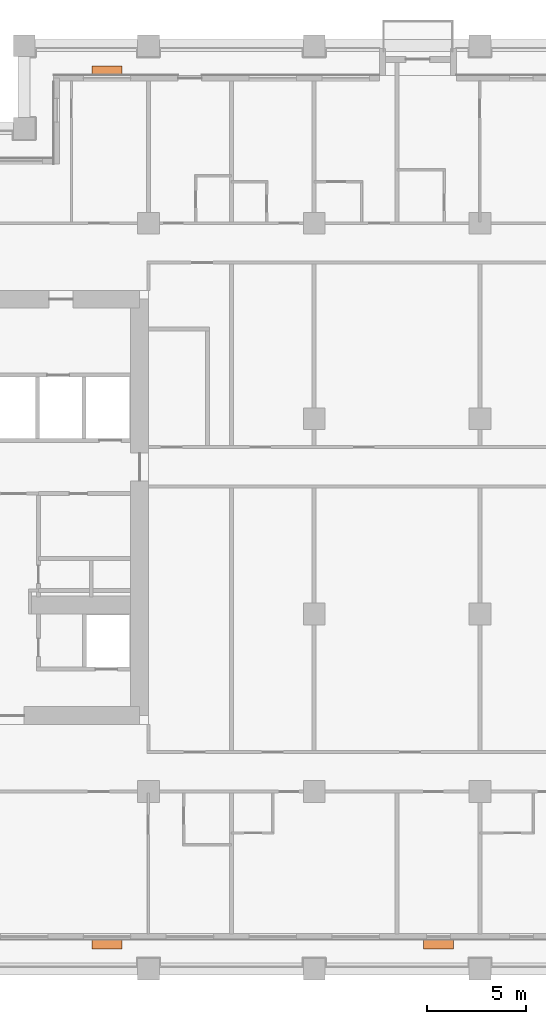
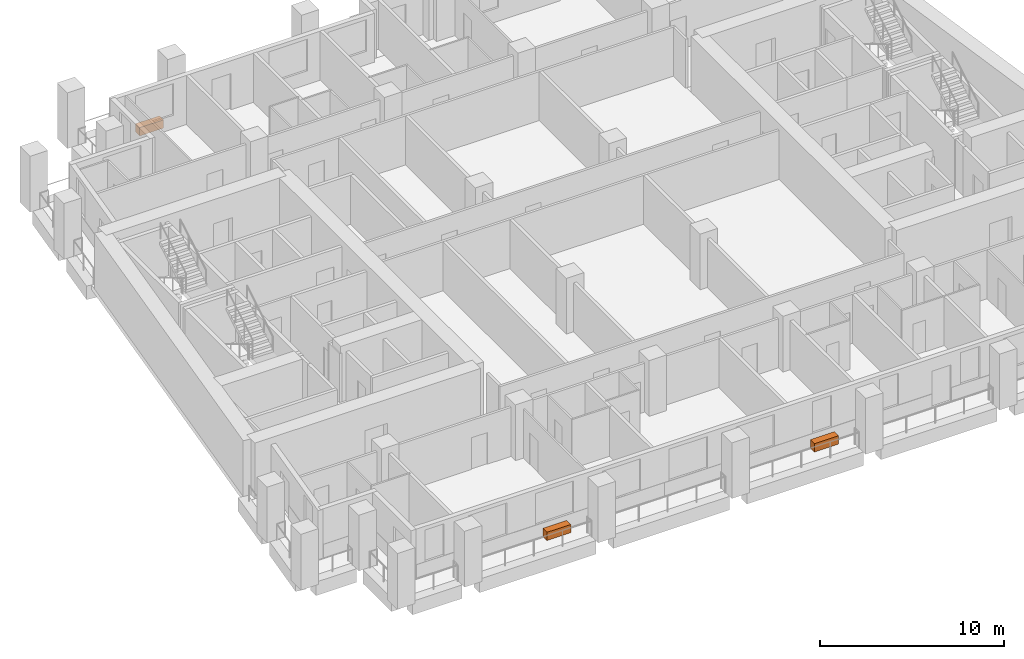
# One storey, part 13 of 13: 3 proxies.
"""IFC4 building model written with IfcOpenShell, lengths in metres."""

import ifcopenshell
import ifcopenshell.guid

model = None  # the IFC model being written
_history = None  # IfcOwnerHistory: only IFC2X3 demands one
_inside = {}  # id of a spatial element -> (the spatial element, [elements in it])
_under = {}  # id of a project, library or spatial element -> (it, [spatial elements below it])
_declared = {}  # id of a project -> (the project, [libraries it declares])
_typed = {}  # id of a type object -> (the type object, [elements of that type])
_made_of = {}  # id of a material, layer set ... -> (it, [elements and type objects made of it])


def new_model(schema):
    """Start an empty IFC model of exactly this schema.

    Asked for "IFC4X3", IfcOpenShell would pick the latest addendum, in which some entities
    have other attributes; the version numbers below select the first issue.
    IFC2X3 requires an IfcOwnerHistory on every rooted entity: one is made here for all.
    """
    global model, _history
    if schema == "IFC4X3":
        model = ifcopenshell.file(schema_version=(4, 3, 0, 0))
    else:
        model = ifcopenshell.file(schema=schema)
    _inside.clear()
    _under.clear()
    _declared.clear()
    _typed.clear()
    _made_of.clear()
    _history = None
    if model.schema == "IFC2X3":
        org = make("IfcOrganization", Name="unknown")
        user = make(
            "IfcPersonAndOrganization",
            ThePerson=make("IfcPerson", FamilyName="unknown"),
            TheOrganization=org,
        )
        app = make(
            "IfcApplication",
            ApplicationDeveloper=org,
            Version="unknown",
            ApplicationFullName="unknown",
            ApplicationIdentifier="unknown",
        )
        _history = make(
            "IfcOwnerHistory",
            OwningUser=user,
            OwningApplication=app,
            ChangeAction="ADDED",
            CreationDate=0,
        )
    return model


def make(cls, **values):
    """One entity of the class cls with the attributes given. An attribute that is None is left unset."""
    return model.create_entity(
        cls, **{name: value for name, value in values.items() if value is not None}
    )


def rooted(cls, **values):
    """An entity with a GlobalId (a new one), such as an element, a storey or a relation."""
    return make(cls, GlobalId=ifcopenshell.guid.new(), OwnerHistory=_history, **values)


def si_unit(unit_type, name, prefix=None):
    """IfcSIUnit, for example si_unit("LENGTHUNIT", "METRE", prefix="MILLI")."""
    return make("IfcSIUnit", UnitType=unit_type, Prefix=prefix, Name=name)


def assignment(units):
    """IfcUnitAssignment: the units of a project."""
    return None if units is None else make("IfcUnitAssignment", Units=units)


def point(xyz):
    """IfcCartesianPoint."""
    return None if xyz is None else make("IfcCartesianPoint", Coordinates=xyz)


def direction(xyz):
    """IfcDirection."""
    return None if xyz is None else make("IfcDirection", DirectionRatios=xyz)


def frame(location, z_axis=None, x_axis=None):
    """IfcAxis2Placement3D, a coordinate frame: its origin and axes. An axis left out is left unset."""
    return make(
        "IfcAxis2Placement3D",
        Location=point(location),
        Axis=direction(z_axis),
        RefDirection=direction(x_axis),
    )


def frame_2d(location, x_axis=None):
    """IfcAxis2Placement2D, a coordinate frame in the plane: its origin and x axis."""
    return make(
        "IfcAxis2Placement2D", Location=point(location), RefDirection=direction(x_axis)
    )


def origin():
    """The frame at (0, 0, 0) with its axes left unset."""
    return frame((0.0, 0.0, 0.0))


def origin_2d():
    """The frame at (0, 0) in the plane with its x axis left unset."""
    return frame_2d((0.0, 0.0))


def place(relative_to, where):
    """IfcLocalPlacement: puts the frame where relative to a parent placement (None: the world)."""
    return make(
        "IfcLocalPlacement", PlacementRelTo=relative_to, RelativePlacement=where
    )


def context(
    kind, dimensions, precision=None, world=None, true_north=None, identifier=None
):
    """IfcGeometricRepresentationContext, for example the 3D "Model" context."""
    return make(
        "IfcGeometricRepresentationContext",
        ContextIdentifier=identifier,
        ContextType=kind,
        CoordinateSpaceDimension=dimensions,
        Precision=precision,
        WorldCoordinateSystem=world,
        TrueNorth=true_north,
    )


def subcontext(parent, identifier, kind, view, scale=None):
    """IfcGeometricRepresentationSubContext, for example "Body" below "Model"."""
    return make(
        "IfcGeometricRepresentationSubContext",
        ContextIdentifier=identifier,
        ContextType=kind,
        ParentContext=parent,
        TargetScale=scale,
        TargetView=view,
    )


def project(units=None, contexts=None):
    """IfcProject with its units and contexts."""
    return rooted(
        "IfcProject",
        Name="project",
        RepresentationContexts=contexts,
        UnitsInContext=assignment(units),
    )


def spatial(cls, under=None, at=None, **own):
    """A site, building, storey or space (cls), placed at a placement, below another one or the project."""
    s = rooted(cls, ObjectPlacement=at, **own)
    if under is not None:
        _under.setdefault(under.id(), (under, []))[1].append(s)
    return s


def profile(cls, at=None, kind="AREA", **sizes):
    """A parametric profile (cls). Its sizes go by their IFC names, for example OverallWidth=200.0."""
    return make(cls, ProfileType=kind, Position=at, **sizes)


def rectangle(**sizes):
    """IfcRectangleProfileDef."""
    return profile("IfcRectangleProfileDef", **sizes)


def extrude(swept, where, along, depth):
    """IfcExtrudedAreaSolid: the profile swept, set in the frame where, extruded along a direction by depth."""
    return make(
        "IfcExtrudedAreaSolid",
        SweptArea=swept,
        Position=where,
        ExtrudedDirection=direction(along),
        Depth=depth,
    )


def shape(context_of_items, identifier, shape_type, items):
    """IfcShapeRepresentation: the items that make up one representation, for example the "Body"."""
    return make(
        "IfcShapeRepresentation",
        ContextOfItems=context_of_items,
        RepresentationIdentifier=identifier,
        RepresentationType=shape_type,
        Items=items,
    )


def made_of(thing, what):
    """Note that an element or type object is made of a material, layer set ...; save() writes the relation."""
    if what is not None:
        _made_of.setdefault(what.id(), (what, []))[1].append(thing)
    return thing


def element(
    cls,
    number,
    at=None,
    inside=None,
    cuts=None,
    type_object=None,
    material=None,
    context=None,
    identifier="Body",
    shape_type=None,
    held_by="IfcProductDefinitionShape",
    body=None,
    shapes=None,
    **own,
):
    """One element of the class cls, such as IfcWall. Its Tag is "e" and its number.

    at: its placement. inside: the storey or other place that contains it. cuts: it is an
    opening in that element (IfcRelVoidsElement). A single representation is given by context,
    identifier, shape_type and body (its items); several are given by shapes. held_by: the class
    of the entity that holds the representations. save() writes the other relations.
    """
    e = rooted(cls, Tag="e%d" % number, ObjectPlacement=at, **own)
    if body is not None:
        shapes = [shape(context, identifier, shape_type, body)]
    if shapes is not None:
        e.Representation = make(held_by, Representations=shapes)
    if inside is not None:
        _inside.setdefault(inside.id(), (inside, []))[1].append(e)
    if cuts is not None:
        rooted(
            "IfcRelVoidsElement", RelatingBuildingElement=cuts, RelatedOpeningElement=e
        )
    if type_object is not None:
        _typed.setdefault(type_object.id(), (type_object, []))[1].append(e)
    return made_of(e, material)


def aggregate(whole, parts):
    """IfcRelAggregates: a whole, such as a stair, and the parts it consists of."""
    return rooted("IfcRelAggregates", RelatingObject=whole, RelatedObjects=parts)


def save(model, path):
    """Write the relations noted so far, then the file.

    IfcRelAggregates (storeys below a building ...), IfcRelContainedInSpatialStructure (elements
    in a storey), IfcRelDefinesByType, IfcRelAssociatesMaterial and IfcRelDeclares: one each for
    every whole, place, type object, material and project.
    """
    for whole, parts in _under.values():
        aggregate(whole, parts)
    for where, things in _inside.values():
        rooted(
            "IfcRelContainedInSpatialStructure",
            RelatedElements=things,
            RelatingStructure=where,
        )
    for kind, things in _typed.values():
        rooted("IfcRelDefinesByType", RelatedObjects=things, RelatingType=kind)
    for what, things in _made_of.values():
        rooted("IfcRelAssociatesMaterial", RelatedObjects=things, RelatingMaterial=what)
    for by, libraries in _declared.values():
        rooted("IfcRelDeclares", RelatingContext=by, RelatedDefinitions=libraries)
    model.write(path)


model = new_model("IFC4")

# Units and contexts
model_context = context("Model", 3, precision=1e-05, world=origin(), true_north=direction((0.0, 1.0)))
body_context = subcontext(model_context, "Body", "Model", "MODEL_VIEW")
ifc_project = project(units=[si_unit("LENGTHUNIT", "METRE"), si_unit("AREAUNIT", "SQUARE_METRE"), si_unit("VOLUMEUNIT", "CUBIC_METRE"), si_unit("PLANEANGLEUNIT", "RADIAN"), si_unit("MASSUNIT", "GRAM", prefix="KILO")], contexts=[model_context])

# Site, building, storey
site_placement = place(None, origin())
site = spatial("IfcSite", under=ifc_project, at=site_placement, CompositionType="ELEMENT")
building_placement = place(site_placement, origin())
building = spatial("IfcBuilding", under=site, at=building_placement, Name="Candeia Pilgrim Tower and Theatre", CompositionType="ELEMENT")
storey_placement = place(building_placement, frame((0.0, 0.0, 188.5)))
storey = spatial("IfcBuildingStorey", under=building, at=storey_placement, Name="L45", CompositionType="ELEMENT", Elevation=188.5)

# Proxies
for number, where, z_axis, x_axis, name in (
    (1, (98.699951171875, 99.2548828125, 0.0), (0.0, 0.0, 1.0), (1.0, 0.0, 0.0), "Planter"),
    (2, (115.5, 99.2548828125, 0.0), (0.0, 0.0, 1.0), (1.0, 0.0, 0.0), "Planter"),
    (3, (98.699951171875, 143.544921875, 0.0), (0.0, 0.0, 1.0), (-1.0, 0.0, 0.0), "Planter"),
):
    element("IfcBuildingElementProxy", number, at=place(storey_placement, frame(where, z_axis=z_axis, x_axis=x_axis)), inside=storey, Name=name, ObjectType="PLANTER", PredefinedType="USERDEFINED", context=body_context, shape_type="SweptSolid", body=[
        extrude(rectangle(XDim=1.5, YDim=0.449951171875, at=origin_2d()), origin(), (0.0, 0.0, 1.0), 0.550048828125),
    ])

save(model, "model.ifc")
